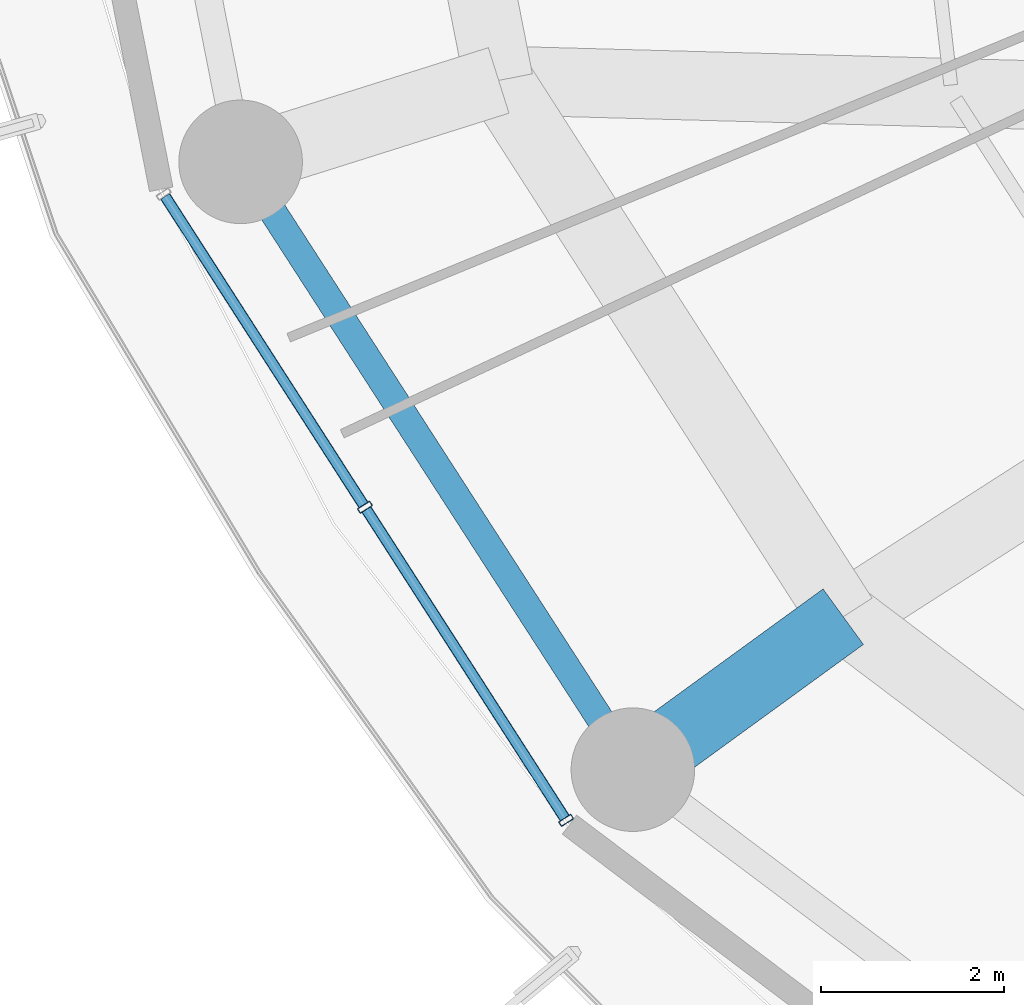
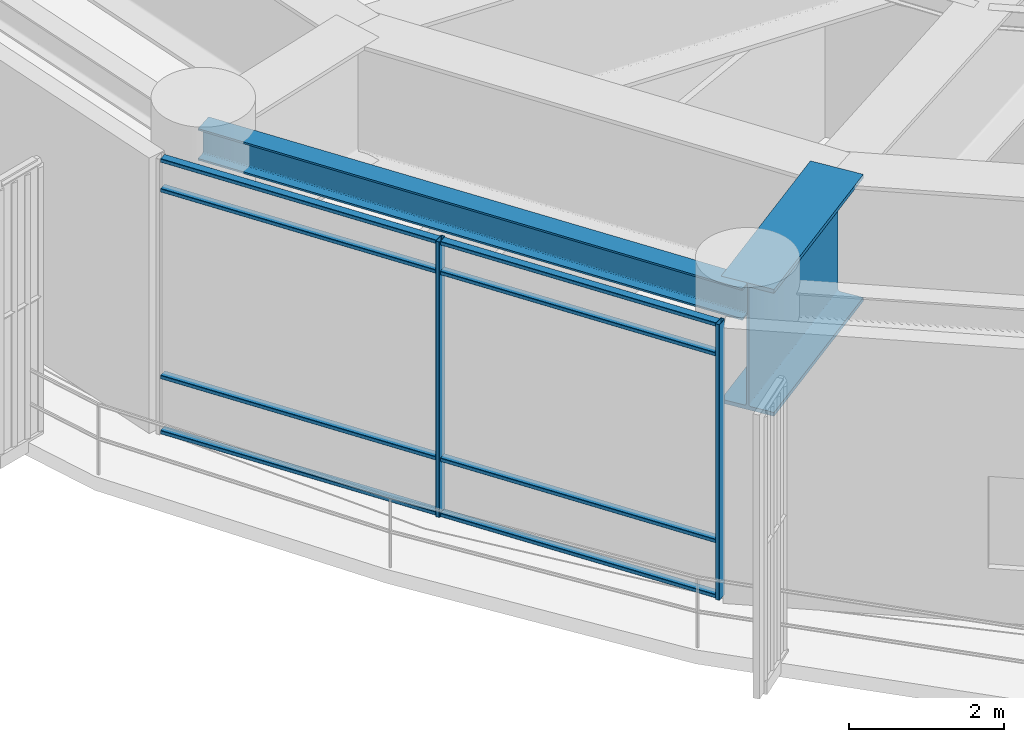
# One storey, part 2 of 34: 10 members, 2 beams, 1 element without a shape of its own.
"""IFC4 building model written with IfcOpenShell, lengths in metres."""

from ifc_helpers import new_model, si_unit, direction, frame, origin, origin_2d, place, context, subcontext, project, spatial, hollow_rectangle, i_section, extrude, material, layer, layer_set, material_profile, profile_set, type_object, element, aggregate, save


model = new_model("IFC4")

# Units and contexts
model_context = context("Model", 3, precision=1e-05, world=origin(), true_north=direction((0.0, 1.0)))
body_context = subcontext(model_context, "Body", "Model", "MODEL_VIEW")
ifc_project = project(units=[si_unit("LENGTHUNIT", "METRE"), si_unit("AREAUNIT", "SQUARE_METRE"), si_unit("VOLUMEUNIT", "CUBIC_METRE"), si_unit("PLANEANGLEUNIT", "RADIAN"), si_unit("MASSUNIT", "GRAM", prefix="KILO")], contexts=[model_context])

# Site, building, storey
site_placement = place(None, origin())
site = spatial("IfcSite", under=ifc_project, at=site_placement, CompositionType="ELEMENT")
building_placement = place(site_placement, origin())
building = spatial("IfcBuilding", under=site, at=building_placement, Name="Kelanora Arch Commons", CompositionType="ELEMENT")
storey_placement = place(building_placement, frame((0.0, 0.0, 125.10009765625)))
storey = spatial("IfcBuildingStorey", under=building, at=storey_placement, Name="L32", CompositionType="ELEMENT", Elevation=125.10009765625)

# Beams
ifc_material_1 = material(Name="Steel S355", Category="steel")
ifc_material_profile_1 = material_profile(ifc_material_1, i_section(OverallWidth=0.300048828125, OverallDepth=0.5, WebThickness=0.014404296875, FlangeThickness=0.028076171875, FilletRadius=0.027099609375, at=origin_2d()), Name="HEB500")
ifc_profile_set_1 = profile_set([ifc_material_profile_1], Name="Steel S355")
beam_type_1 = type_object("IfcBeamType", Name="BM-SPN-Z2", PredefinedType="SPANDREL", material=ifc_profile_set_1)
beam_1_placement = place(storey_placement, frame((50.808349609375, 50.4482421875, 4.10986328125), z_axis=(0.542221144054, -0.840235818649, 0.0), x_axis=(0.840235818649, 0.542221144054, 0.0)))
element("IfcBeam", 1, at=beam_1_placement, inside=storey, type_object=beam_type_1, Name="Perimeter Spandrel Beam BS-20 L32", PredefinedType="SPANDREL", context=body_context, shape_type="SweptSolid", body=[
    extrude(i_section(OverallWidth=0.300048828125, OverallDepth=0.5, WebThickness=0.014404296875, FlangeThickness=0.028076171875, FilletRadius=0.027099609375, at=origin_2d()), origin(), (0.0, 0.0, 1.0), 7.90380859375),
])
ifc_material_profile_2 = material_profile(ifc_material_1, i_section(OverallWidth=0.75, OverallDepth=2.0, WebThickness=0.034912109375, FlangeThickness=0.06005859375, FilletRadius=0.028076171875, at=origin_2d()), Name="PG2000x750")
ifc_profile_set_2 = profile_set([ifc_material_profile_2], Name="Steel S355")
beam_type_2 = type_object("IfcBeamType", Name="BM-XFER-SET", PredefinedType="USERDEFINED", material=ifc_profile_set_2)
beam_2_placement = place(storey_placement, frame((57.39208984375, 45.478515625, 3.35986328125), z_axis=(-0.808728653653, -0.588181914683, 0.0), x_axis=(0.588181914683, -0.808728653653, 0.0)))
element("IfcBeam", 2, at=beam_2_placement, inside=storey, type_object=beam_type_2, Name="Radial Floor Girder BR-22 L32", ObjectType="TRANSFER_GIRDER", PredefinedType="USERDEFINED", context=body_context, shape_type="SweptSolid", body=[
    extrude(i_section(OverallWidth=0.75, OverallDepth=2.0, WebThickness=0.034912109375, FlangeThickness=0.06005859375, FilletRadius=0.028076171875, at=origin_2d()), origin(), (0.0, 0.0, 1.0), 2.841552734375),
])

# Curtain wall, members
ifc_material_2 = material(Name="Terracotta ceramic-fritted low-E glass and aluminium", Category="masonry")
ifc_layer = layer(ifc_material_2, 0.159912109375)
ifc_layer_set = layer_set([ifc_layer], Name="Terracotta ceramic-fritted low-E glass and aluminium")
curtain_wall_type = type_object("IfcCurtainWallType", Name="CW-SYS-01", PredefinedType="NOTDEFINED", material=ifc_layer_set)
curtain_wall_placement = place(storey_placement, origin())
curtain_wall = element("IfcCurtainWall", 3, at=curtain_wall_placement, inside=storey, type_object=curtain_wall_type, Name="Unitised Curtain Wall L32-B10", PredefinedType="NOTDEFINED")
ifc_material_3 = material(Name="Powder-coated aluminium terracotta", Category="masonry")
ifc_material_profile_3 = material_profile(ifc_material_3, hollow_rectangle(XDim=0.159912109375, YDim=0.06005859375, WallThickness=0.0048828125, InnerFilletRadius=0.0048828125, OuterFilletRadius=0.010009765625, at=origin_2d()), Name="CWM160x60")
ifc_profile_set_3 = profile_set([ifc_material_profile_3], Name="Powder-coated aluminium terracotta")
member_type_1 = type_object("IfcMemberType", Name="CWM-STD", PredefinedType="MULLION", material=ifc_profile_set_3)
member_1_placement = place(storey_placement, frame((52.16650390625, 46.6748046875, 0.0), z_axis=(0.0, 0.0, 1.0), x_axis=(0.841268883088, 0.540616931244, 0.0)))
member_1 = element("IfcMember", 4, at=member_1_placement, type_object=member_type_1, Name="CW-01 mullion 2", PredefinedType="MULLION", context=body_context, shape_type="SweptSolid", body=[
    extrude(hollow_rectangle(XDim=0.159912109375, YDim=0.06005859375, WallThickness=0.0048828125, InnerFilletRadius=0.0048828125, OuterFilletRadius=0.010009765625, at=origin_2d()), origin(), (0.0, 0.0, 1.0), 4.344970703125),
])
member_2_placement = place(storey_placement, frame((54.364990234375, 43.253662109375, 0.0), z_axis=(0.0, 0.0, 1.0), x_axis=(0.841268883088, 0.540616931244, 0.0)))
member_2 = element("IfcMember", 5, at=member_2_placement, type_object=member_type_1, Name="CW-01 mullion 3", PredefinedType="MULLION", context=body_context, shape_type="SweptSolid", body=[
    extrude(hollow_rectangle(XDim=0.159912109375, YDim=0.06005859375, WallThickness=0.0048828125, InnerFilletRadius=0.0048828125, OuterFilletRadius=0.010009765625, at=origin_2d()), origin(), (0.0, 0.0, 1.0), 4.344970703125),
])
ifc_material_profile_4 = material_profile(ifc_material_3, hollow_rectangle(XDim=0.1201171875, YDim=0.06005859375, WallThickness=0.0048828125, InnerFilletRadius=0.0048828125, OuterFilletRadius=0.010009765625, at=origin_2d()), Name="CWT120x60")
ifc_profile_set_4 = profile_set([ifc_material_profile_4], Name="Powder-coated aluminium terracotta")
member_type_2 = type_object("IfcMemberType", Name="CWT-STD", PredefinedType="USERDEFINED", material=ifc_profile_set_4)
member_3_placement = place(storey_placement, frame((49.984375, 50.0703125, 0.02978515625), z_axis=(0.540643629734, -0.841251725483, 0.0), x_axis=(0.841251725483, 0.540643629734, 0.0)))
member_3 = element("IfcMember", 6, at=member_3_placement, type_object=member_type_2, Name="CW-01 transom 1.1", ObjectType="TRANSOM", PredefinedType="USERDEFINED", context=body_context, shape_type="SweptSolid", body=[
    extrude(hollow_rectangle(XDim=0.1201171875, YDim=0.06005859375, WallThickness=0.0048828125, InnerFilletRadius=0.0048828125, OuterFilletRadius=0.010009765625, at=origin_2d()), origin(), (0.0, 0.0, 1.0), 4.00634765625),
])
member_4_placement = place(storey_placement, frame((49.984375, 50.0703125, 0.89990234375), z_axis=(0.540643629734, -0.841251725483, 0.0), x_axis=(0.841251725483, 0.540643629734, 0.0)))
member_4 = element("IfcMember", 7, at=member_4_placement, type_object=member_type_2, Name="CW-01 transom 1.2", ObjectType="TRANSOM", PredefinedType="USERDEFINED", context=body_context, shape_type="SweptSolid", body=[
    extrude(hollow_rectangle(XDim=0.1201171875, YDim=0.06005859375, WallThickness=0.0048828125, InnerFilletRadius=0.0048828125, OuterFilletRadius=0.010009765625, at=origin_2d()), origin(), (0.0, 0.0, 1.0), 4.00634765625),
])
member_5_placement = place(storey_placement, frame((49.984375, 50.0703125, 3.844970703125), z_axis=(0.540643629734, -0.841251725483, 0.0), x_axis=(0.841251725483, 0.540643629734, 0.0)))
member_5 = element("IfcMember", 8, at=member_5_placement, type_object=member_type_2, Name="CW-01 transom 1.3", ObjectType="TRANSOM", PredefinedType="USERDEFINED", context=body_context, shape_type="SweptSolid", body=[
    extrude(hollow_rectangle(XDim=0.1201171875, YDim=0.06005859375, WallThickness=0.0048828125, InnerFilletRadius=0.0048828125, OuterFilletRadius=0.010009765625, at=origin_2d()), origin(), (0.0, 0.0, 1.0), 4.00634765625),
])
member_6_placement = place(storey_placement, frame((49.984375, 50.0703125, 4.31494140625), z_axis=(0.540643629734, -0.841251725483, 0.0), x_axis=(0.841251725483, 0.540643629734, 0.0)))
member_6 = element("IfcMember", 9, at=member_6_placement, type_object=member_type_2, Name="CW-01 transom 1.4", ObjectType="TRANSOM", PredefinedType="USERDEFINED", context=body_context, shape_type="SweptSolid", body=[
    extrude(hollow_rectangle(XDim=0.1201171875, YDim=0.06005859375, WallThickness=0.0048828125, InnerFilletRadius=0.0048828125, OuterFilletRadius=0.010009765625, at=origin_2d()), origin(), (0.0, 0.0, 1.0), 4.00634765625),
])
member_7_placement = place(storey_placement, frame((52.182861328125, 46.6494140625, 0.02978515625), z_axis=(0.540643629734, -0.841251725483, 0.0), x_axis=(0.841251725483, 0.540643629734, 0.0)))
member_7 = element("IfcMember", 10, at=member_7_placement, type_object=member_type_2, Name="CW-01 transom 2.1", ObjectType="TRANSOM", PredefinedType="USERDEFINED", context=body_context, shape_type="SweptSolid", body=[
    extrude(hollow_rectangle(XDim=0.1201171875, YDim=0.06005859375, WallThickness=0.0048828125, InnerFilletRadius=0.0048828125, OuterFilletRadius=0.010009765625, at=origin_2d()), origin(), (0.0, 0.0, 1.0), 4.00634765625),
])
member_8_placement = place(storey_placement, frame((52.182861328125, 46.6494140625, 0.89990234375), z_axis=(0.540643629734, -0.841251725483, 0.0), x_axis=(0.841251725483, 0.540643629734, 0.0)))
member_8 = element("IfcMember", 11, at=member_8_placement, type_object=member_type_2, Name="CW-01 transom 2.2", ObjectType="TRANSOM", PredefinedType="USERDEFINED", context=body_context, shape_type="SweptSolid", body=[
    extrude(hollow_rectangle(XDim=0.1201171875, YDim=0.06005859375, WallThickness=0.0048828125, InnerFilletRadius=0.0048828125, OuterFilletRadius=0.010009765625, at=origin_2d()), origin(), (0.0, 0.0, 1.0), 4.00634765625),
])
member_9_placement = place(storey_placement, frame((52.182861328125, 46.6494140625, 3.844970703125), z_axis=(0.540643629734, -0.841251725483, 0.0), x_axis=(0.841251725483, 0.540643629734, 0.0)))
member_9 = element("IfcMember", 12, at=member_9_placement, type_object=member_type_2, Name="CW-01 transom 2.3", ObjectType="TRANSOM", PredefinedType="USERDEFINED", context=body_context, shape_type="SweptSolid", body=[
    extrude(hollow_rectangle(XDim=0.1201171875, YDim=0.06005859375, WallThickness=0.0048828125, InnerFilletRadius=0.0048828125, OuterFilletRadius=0.010009765625, at=origin_2d()), origin(), (0.0, 0.0, 1.0), 4.00634765625),
])
member_10_placement = place(storey_placement, frame((52.182861328125, 46.6494140625, 4.31494140625), z_axis=(0.540643629734, -0.841251725483, 0.0), x_axis=(0.841251725483, 0.540643629734, 0.0)))
member_10 = element("IfcMember", 13, at=member_10_placement, type_object=member_type_2, Name="CW-01 transom 2.4", ObjectType="TRANSOM", PredefinedType="USERDEFINED", context=body_context, shape_type="SweptSolid", body=[
    extrude(hollow_rectangle(XDim=0.1201171875, YDim=0.06005859375, WallThickness=0.0048828125, InnerFilletRadius=0.0048828125, OuterFilletRadius=0.010009765625, at=origin_2d()), origin(), (0.0, 0.0, 1.0), 4.00634765625),
])
aggregate(curtain_wall, [member_1, member_2, member_3, member_4, member_5, member_6, member_7, member_8, member_9, member_10])

save(model, "model.ifc")
